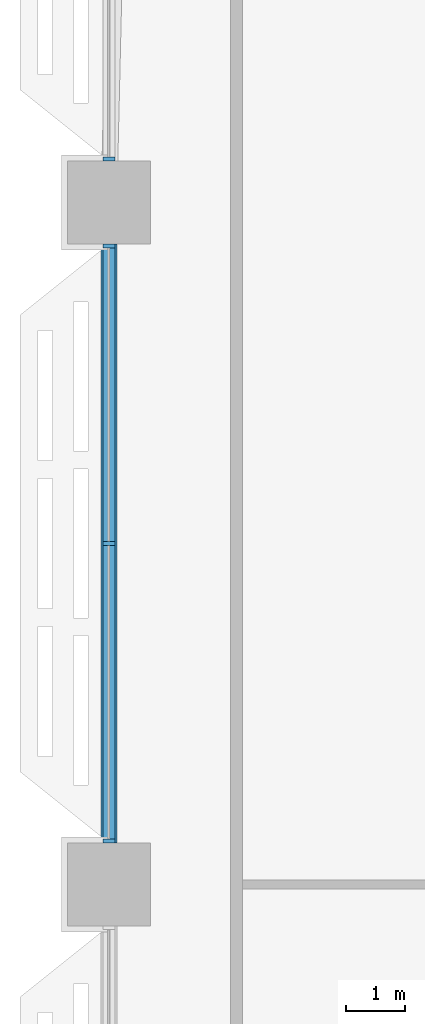
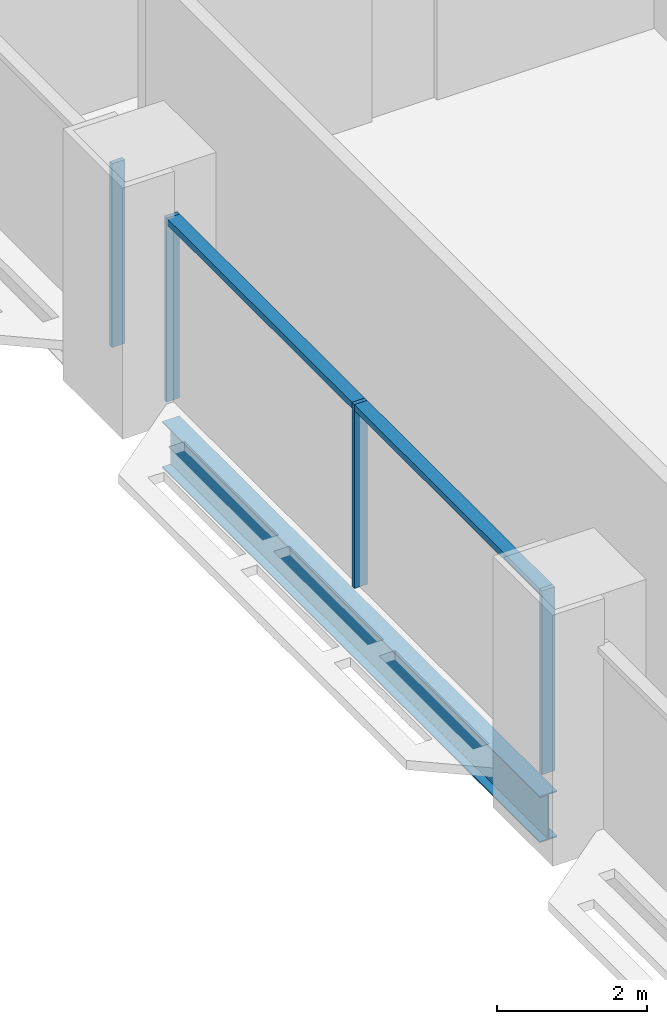
# One storey, part 4 of 29: 6 members, 1 beam, 2 elements without a shape of their own.
"""IFC4 building model written with IfcOpenShell, lengths in metres."""

from ifc_helpers import new_model, si_unit, direction, frame, origin, origin_2d, place, context, subcontext, project, spatial, rectangle, i_section, extrude, material, material_profile, profile_set, type_object, element, aggregate, save


model = new_model("IFC4")

# Units and contexts
model_context = context("Model", 3, precision=1e-05, world=origin(), true_north=direction((0.0, 1.0)))
body_context = subcontext(model_context, "Body", "Model", "MODEL_VIEW")
ifc_project = project(units=[si_unit("LENGTHUNIT", "METRE"), si_unit("AREAUNIT", "SQUARE_METRE"), si_unit("VOLUMEUNIT", "CUBIC_METRE"), si_unit("PLANEANGLEUNIT", "RADIAN"), si_unit("MASSUNIT", "GRAM", prefix="KILO")], contexts=[model_context])

# Site, building, storey
site_placement = place(None, origin())
site = spatial("IfcSite", under=ifc_project, at=site_placement, CompositionType="ELEMENT")
building_placement = place(site_placement, origin())
building = spatial("IfcBuilding", under=site, at=building_placement, Name="Mahtab Terrace Research Tower", CompositionType="ELEMENT")
storey_placement = place(building_placement, frame((0.0, 0.0, 97.10009765625)))
storey = spatial("IfcBuildingStorey", under=building, at=storey_placement, Name="L22", CompositionType="ELEMENT", Elevation=97.10009765625)

# Curtain wall, member
ifc_material_1 = material(Name="Laboratory ribbon curtain wall")
curtain_wall_type = type_object("IfcCurtainWallType", Name="Laboratory ribbon curtain wall", PredefinedType="NOTDEFINED", material=ifc_material_1)
curtain_wall_1_placement = place(storey_placement, origin())
curtain_wall_1 = element("IfcCurtainWall", 1, at=curtain_wall_1_placement, inside=storey, type_object=curtain_wall_type, Name="EN.L22.8.16", PredefinedType="NOTDEFINED")
ifc_material_2 = material(Name="Natural anodised aluminium", Category="aluminium")
ifc_material_profile_1 = material_profile(ifc_material_2, rectangle(XDim=0.199951171875, YDim=0.06494140625, at=origin_2d()), Name="MULLION 65x200")
ifc_profile_set_1 = profile_set([ifc_material_profile_1], Name="Natural anodised aluminium")
member_type_1 = type_object("IfcMemberType", Name="Laboratory ribbon curtain wall mullion", PredefinedType="MULLION", material=ifc_profile_set_1)
member_1_placement = place(storey_placement, frame((-42.0, 12.232421875, 0.0), z_axis=(0.0, 0.0, 1.0), x_axis=(1.0, 0.0, 0.0)))
member_1 = element("IfcMember", 2, at=member_1_placement, type_object=member_type_1, Name="CWL-3 mullion 3", PredefinedType="MULLION", context=body_context, shape_type="SweptSolid", body=[
    extrude(rectangle(XDim=0.199951171875, YDim=0.06494140625, at=origin_2d()), origin(), (0.0, 0.0, 1.0), 3.0029296875),
])
aggregate(curtain_wall_1, [member_1])

# Curtain wall, members
curtain_wall_2_placement = place(storey_placement, origin())
curtain_wall_2 = element("IfcCurtainWall", 3, at=curtain_wall_2_placement, inside=storey, type_object=curtain_wall_type, Name="EN.L22.8.17", PredefinedType="NOTDEFINED")
member_2_placement = place(storey_placement, frame((-42.0, 10.767578125, 0.0), z_axis=(0.0, 0.0, 1.0), x_axis=(1.0, 0.0, 0.0)))
member_2 = element("IfcMember", 4, at=member_2_placement, type_object=member_type_1, Name="CWL-3 mullion 1", PredefinedType="MULLION", context=body_context, shape_type="SweptSolid", body=[
    extrude(rectangle(XDim=0.199951171875, YDim=0.06494140625, at=origin_2d()), origin(), (0.0, 0.0, 1.0), 3.0029296875),
])
member_3_placement = place(storey_placement, frame((-42.0, 5.75, 0.0), z_axis=(0.0, 0.0, 1.0), x_axis=(1.0, 0.0, 0.0)))
member_3 = element("IfcMember", 5, at=member_3_placement, type_object=member_type_1, Name="CWL-3 mullion 2", PredefinedType="MULLION", context=body_context, shape_type="SweptSolid", body=[
    extrude(rectangle(XDim=0.199951171875, YDim=0.06494140625, at=origin_2d()), origin(), (0.0, 0.0, 1.0), 3.0029296875),
])
member_4_placement = place(storey_placement, frame((-42.0, 0.732421875, 0.0), z_axis=(0.0, 0.0, 1.0), x_axis=(1.0, 0.0, 0.0)))
member_4 = element("IfcMember", 6, at=member_4_placement, type_object=member_type_1, Name="CWL-3 mullion 3", PredefinedType="MULLION", context=body_context, shape_type="SweptSolid", body=[
    extrude(rectangle(XDim=0.199951171875, YDim=0.06494140625, at=origin_2d()), origin(), (0.0, 0.0, 1.0), 3.0029296875),
])
ifc_material_profile_2 = material_profile(ifc_material_2, rectangle(XDim=0.199951171875, YDim=0.10009765625, at=origin_2d()), Name="TRANSOM 100x200")
ifc_profile_set_2 = profile_set([ifc_material_profile_2], Name="Natural anodised aluminium")
member_type_2 = type_object("IfcMemberType", Name="Laboratory ribbon curtain wall transom", PredefinedType="USERDEFINED", material=ifc_profile_set_2)
member_5_placement = place(storey_placement, frame((-42.0, 10.735107421875, 2.952880859375), z_axis=(0.0, -1.0, 0.0), x_axis=(1.0, 0.0, 0.0)))
member_5 = element("IfcMember", 7, at=member_5_placement, type_object=member_type_2, Name="CWL-3 transom 1", ObjectType="TRANSOM", PredefinedType="USERDEFINED", context=body_context, shape_type="SweptSolid", body=[
    extrude(rectangle(XDim=0.199951171875, YDim=0.10009765625, at=origin_2d()), origin(), (0.0, 0.0, 1.0), 4.95263671875),
])
member_6_placement = place(storey_placement, frame((-42.0, 5.717529296875, 2.952880859375), z_axis=(0.0, -1.0, 0.0), x_axis=(1.0, 0.0, 0.0)))
member_6 = element("IfcMember", 8, at=member_6_placement, type_object=member_type_2, Name="CWL-3 transom 2", ObjectType="TRANSOM", PredefinedType="USERDEFINED", context=body_context, shape_type="SweptSolid", body=[
    extrude(rectangle(XDim=0.199951171875, YDim=0.10009765625, at=origin_2d()), origin(), (0.0, 0.0, 1.0), 4.95263671875),
])
aggregate(curtain_wall_2, [member_2, member_3, member_4, member_5, member_6])

# Beam
ifc_material_3 = material(Name="Steel ASTM A992 Gr 50", Category="steel")
ifc_material_profile_3 = material_profile(ifc_material_3, i_section(OverallWidth=0.2666015625, OverallDepth=0.7568359375, WebThickness=0.013916015625, FlangeThickness=0.019287109375, at=origin_2d()), Name="W30X108")
ifc_profile_set_3 = profile_set([ifc_material_profile_3], Name="Steel ASTM A992 Gr 50")
beam_type = type_object("IfcBeamType", Name="W30x108 beam BS30108", PredefinedType="BEAM", material=ifc_profile_set_3)
beam_placement = place(storey_placement, frame((-42.0, 10.800048828125, -0.718505859375), z_axis=(0.0, -1.0, 0.0), x_axis=(1.0, 0.0, 0.0)))
element("IfcBeam", 9, at=beam_placement, inside=storey, type_object=beam_type, Name="Spandrel beam L22 10", PredefinedType="BEAM", context=body_context, shape_type="SweptSolid", body=[
    extrude(i_section(OverallWidth=0.2666015625, OverallDepth=0.7568359375, WebThickness=0.013916015625, FlangeThickness=0.019287109375, at=origin_2d()), origin(), (0.0, 0.0, 1.0), 10.10009765625),
])

save(model, "model.ifc")
